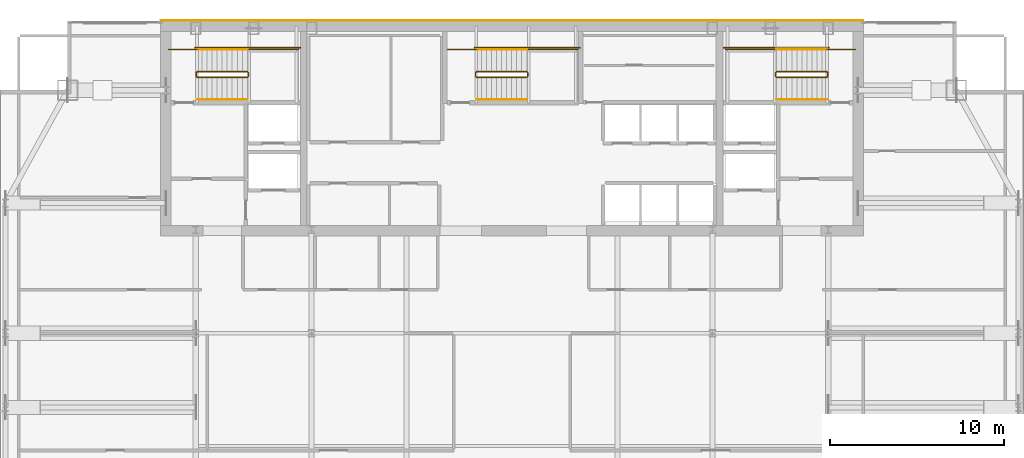
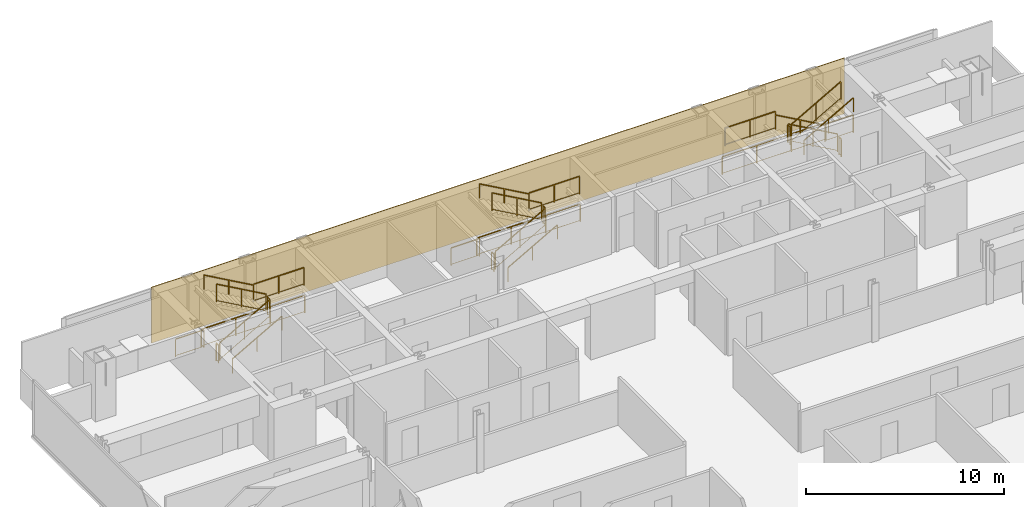
# One storey, part 26 of 26: 27 railings, 1 covering.
"""IFC4 building model written with IfcOpenShell, lengths in metres."""

from ifc_helpers import new_model, si_unit, direction, frame, origin, origin_2d, place, context, subcontext, project, spatial, polyline, rectangle, outline, extrude, material, layer, layer_set, type_object, element, save


model = new_model("IFC4")

# Units and contexts
model_context = context("Model", 3, precision=1e-05, world=origin(), true_north=direction((0.0, 1.0)))
body_context = subcontext(model_context, "Body", "Model", "MODEL_VIEW")
ifc_project = project(units=[si_unit("LENGTHUNIT", "METRE"), si_unit("AREAUNIT", "SQUARE_METRE"), si_unit("VOLUMEUNIT", "CUBIC_METRE"), si_unit("PLANEANGLEUNIT", "RADIAN"), si_unit("MASSUNIT", "GRAM", prefix="KILO")], contexts=[model_context])

# Site, building, storey
site_placement = place(None, origin())
site = spatial("IfcSite", under=ifc_project, at=site_placement, CompositionType="ELEMENT")
building_placement = place(site_placement, origin())
building = spatial("IfcBuilding", under=site, at=building_placement, Name="Khoronbel Lancet Exchange", CompositionType="ELEMENT")
storey_placement = place(building_placement, frame((0.0, 0.0, 235.39990234375)))
storey = spatial("IfcBuildingStorey", under=building, at=storey_placement, Name="L60", CompositionType="ELEMENT", Elevation=235.39990234375)

# Covering
ifc_material_1 = material(Name="Honed Egyptian Limestone & Bronze Rainscreen", Category="masonry")
ifc_layer = layer(ifc_material_1, 0.050048828125, Name="Honed Egyptian Limestone & Bronze Rainscreen")
ifc_layer_set = layer_set([ifc_layer], Name="Honed Egyptian Limestone & Bronze Rainscreen")
covering_type = type_object("IfcCoveringType", Name="COV-CLAD1", PredefinedType="CLADDING", material=ifc_layer_set)
covering_placement = place(storey_placement, origin())
element("IfcCovering", 1, at=covering_placement, inside=storey, type_object=covering_type, Name="Level L60 north rear-core stone and bronze rainscreen cladding", PredefinedType="CLADDING", context=body_context, shape_type="SweptSolid", body=[
    extrude(outline(polyline([(16.199951171875, 53.699951171875), (56.699951171875, 53.699951171875), (56.699951171875, 53.75), (16.199951171875, 53.75), (16.199951171875, 53.699951171875)])), origin(), (0.0, 0.0, 1.0), 3.440185546875),
])

# Railings
ifc_material_2 = material(Name="Painted Steel Balustrade", Category="steel")
railing_type_1 = type_object("IfcRailingType", Name="RL-STG110", PredefinedType="GUARDRAIL", material=ifc_material_2)
railing_1_placement = place(storey_placement, frame((18.300048828125, 50.449951171875, 0.163818359375)))
element("IfcRailing", 2, at=railing_1_placement, inside=storey, type_object=railing_type_1, Name="L60 ST1 stair guard 1", PredefinedType="GUARDRAIL", context=body_context, shape_type="SweptSolid", body=[
    extrude(rectangle(XDim=0.048095703125, YDim=0.048095703125, at=origin_2d()), frame((0.0, 0.0, 1.09619140625), z_axis=(0.870928581787, 0.0, 0.491409610636), x_axis=(0.0, 1.0, 0.0)), (0.0, 0.0, 1.0), 3.32958984375),
    extrude(rectangle(XDim=0.02392578125, YDim=0.02392578125, at=origin_2d()), frame((0.0, 0.0, 0.080078125), z_axis=(0.870928581787, 0.0, 0.491409610636), x_axis=(0.0, 1.0, 0.0)), (0.0, 0.0, 1.0), 3.32958984375),
    extrude(rectangle(XDim=0.0419921875, YDim=0.0419921875, at=origin_2d()), origin(), (0.0, 0.0, 1.0), 1.072021484375),
    extrude(rectangle(XDim=0.0419921875, YDim=0.0419921875, at=origin_2d()), frame((1.449951171875, 0.0, 0.818115234375)), (0.0, 0.0, 1.0), 1.072021484375),
    extrude(rectangle(XDim=0.0419921875, YDim=0.0419921875, at=origin_2d()), frame((2.89990234375, 0.0, 1.63623046875)), (0.0, 0.0, 1.0), 1.072021484375),
])
railing_2_placement = place(storey_placement, frame((21.25, 50.5, 1.800048828125)))
element("IfcRailing", 3, at=railing_2_placement, inside=storey, type_object=railing_type_1, Name="L60 ST1 stair guard 2", PredefinedType="GUARDRAIL", context=body_context, shape_type="SweptSolid", body=[
    extrude(rectangle(XDim=0.048095703125, YDim=0.048095703125, at=origin_2d()), frame((0.0, 0.0, 1.09619140625), z_axis=(0.0, 1.0, 0.0), x_axis=(-1.0, 0.0, 0.0)), (0.0, 0.0, 1.0), 0.219970703125),
    extrude(rectangle(XDim=0.02392578125, YDim=0.02392578125, at=origin_2d()), frame((0.0, 0.0, 0.080078125), z_axis=(0.0, 1.0, 0.0), x_axis=(-1.0, 0.0, 0.0)), (0.0, 0.0, 1.0), 0.219970703125),
    extrude(rectangle(XDim=0.0419921875, YDim=0.0419921875, at=origin_2d()), origin(), (0.0, 0.0, 1.0), 1.072021484375),
    extrude(rectangle(XDim=0.0419921875, YDim=0.0419921875, at=origin_2d()), frame((0.0, 0.219970703125, 0.0)), (0.0, 0.0, 1.0), 1.072021484375),
])
railing_3_placement = place(storey_placement, frame((21.199951171875, 52.050048828125, 1.800048828125)))
element("IfcRailing", 4, at=railing_3_placement, inside=storey, type_object=railing_type_1, Name="L60 ST1 stair guard 3", PredefinedType="GUARDRAIL", context=body_context, shape_type="SweptSolid", body=[
    extrude(rectangle(XDim=0.048095703125, YDim=0.048095703125, at=origin_2d()), frame((0.0, 0.0, 1.09619140625), z_axis=(1.0, 0.0, 0.0), x_axis=(0.0, 1.0, 0.0)), (0.0, 0.0, 1.0), 2.949951171875),
    extrude(rectangle(XDim=0.02392578125, YDim=0.02392578125, at=origin_2d()), frame((0.0, 0.0, 0.080078125), z_axis=(1.0, 0.0, 0.0), x_axis=(0.0, 1.0, 0.0)), (0.0, 0.0, 1.0), 2.949951171875),
    extrude(rectangle(XDim=0.0419921875, YDim=0.0419921875, at=origin_2d()), origin(), (0.0, 0.0, 1.0), 1.072021484375),
    extrude(rectangle(XDim=0.0419921875, YDim=0.0419921875, at=origin_2d()), frame((1.47509765625, 0.0, 0.0)), (0.0, 0.0, 1.0), 1.072021484375),
    extrude(rectangle(XDim=0.0419921875, YDim=0.0419921875, at=origin_2d()), frame((2.949951171875, 0.0, 0.0)), (0.0, 0.0, 1.0), 1.072021484375),
])
railing_4_placement = place(storey_placement, frame((21.199951171875, 50.77001953125, 1.963623046875)))
element("IfcRailing", 5, at=railing_4_placement, inside=storey, type_object=railing_type_1, Name="L60 ST1 stair guard 4", PredefinedType="GUARDRAIL", context=body_context, shape_type="SweptSolid", body=[
    extrude(rectangle(XDim=0.048095703125, YDim=0.048095703125, at=origin_2d()), frame((0.0, 0.0, 1.09619140625), z_axis=(-0.870897200241, 0.0, 0.491465224214), x_axis=(0.0, -1.0, 0.0)), (0.0, 0.0, 1.0), 3.329833984375),
    extrude(rectangle(XDim=0.02392578125, YDim=0.02392578125, at=origin_2d()), frame((0.0, 0.0, 0.080078125), z_axis=(-0.870897200241, 0.0, 0.491465224214), x_axis=(0.0, -1.0, 0.0)), (0.0, 0.0, 1.0), 3.329833984375),
    extrude(rectangle(XDim=0.0419921875, YDim=0.0419921875, at=origin_2d()), origin(), (0.0, 0.0, 1.0), 1.072021484375),
    extrude(rectangle(XDim=0.0419921875, YDim=0.0419921875, at=origin_2d()), frame((-1.449951171875, 0.0, 0.818359375)), (0.0, 0.0, 1.0), 1.072021484375),
    extrude(rectangle(XDim=0.0419921875, YDim=0.0419921875, at=origin_2d()), frame((-2.89990234375, 0.0, 1.636474609375)), (0.0, 0.0, 1.0), 1.072021484375),
])
railing_5_placement = place(storey_placement, frame((18.25, 50.5, 0.0)))
element("IfcRailing", 6, at=railing_5_placement, inside=storey, type_object=railing_type_1, Name="L60 ST1 stair guard 5", PredefinedType="GUARDRAIL", context=body_context, shape_type="SweptSolid", body=[
    extrude(rectangle(XDim=0.048095703125, YDim=0.048095703125, at=origin_2d()), frame((0.0, 0.0, 1.09619140625), z_axis=(0.0, 1.0, 0.0), x_axis=(-1.0, 0.0, 0.0)), (0.0, 0.0, 1.0), 0.219970703125),
    extrude(rectangle(XDim=0.02392578125, YDim=0.02392578125, at=origin_2d()), frame((0.0, 0.0, 0.080078125), z_axis=(0.0, 1.0, 0.0), x_axis=(-1.0, 0.0, 0.0)), (0.0, 0.0, 1.0), 0.219970703125),
    extrude(rectangle(XDim=0.0419921875, YDim=0.0419921875, at=origin_2d()), origin(), (0.0, 0.0, 1.0), 1.072021484375),
    extrude(rectangle(XDim=0.0419921875, YDim=0.0419921875, at=origin_2d()), frame((0.0, 0.219970703125, 0.0)), (0.0, 0.0, 1.0), 1.072021484375),
])
railing_6_placement = place(storey_placement, frame((16.64990234375, 52.050048828125, 0.0)))
element("IfcRailing", 7, at=railing_6_placement, inside=storey, type_object=railing_type_1, Name="L60 ST1 stair guard 6", PredefinedType="GUARDRAIL", context=body_context, shape_type="SweptSolid", body=[
    extrude(rectangle(XDim=0.048095703125, YDim=0.048095703125, at=origin_2d()), frame((0.0, 0.0, 1.09619140625), z_axis=(1.0, 0.0, 0.0), x_axis=(0.0, 1.0, 0.0)), (0.0, 0.0, 1.0), 1.650146484375),
    extrude(rectangle(XDim=0.02392578125, YDim=0.02392578125, at=origin_2d()), frame((0.0, 0.0, 0.080078125), z_axis=(1.0, 0.0, 0.0), x_axis=(0.0, 1.0, 0.0)), (0.0, 0.0, 1.0), 1.650146484375),
    extrude(rectangle(XDim=0.0419921875, YDim=0.0419921875, at=origin_2d()), origin(), (0.0, 0.0, 1.0), 1.072021484375),
    extrude(rectangle(XDim=0.0419921875, YDim=0.0419921875, at=origin_2d()), frame((1.650146484375, 0.0, 0.0)), (0.0, 0.0, 1.0), 1.072021484375),
])
railing_7_placement = place(storey_placement, frame((18.199951171875, 52.14990234375, 0.0)))
element("IfcRailing", 8, at=railing_7_placement, inside=storey, type_object=railing_type_1, Name="L60 ST1 stair guard 7", PredefinedType="GUARDRAIL", context=body_context, shape_type="SweptSolid", body=[
    extrude(rectangle(XDim=0.048095703125, YDim=0.048095703125, at=origin_2d()), frame((0.0, 0.0, 1.09619140625), z_axis=(1.0, 0.0, 0.0), x_axis=(0.0, 1.0, 0.0)), (0.0, 0.0, 1.0), 6.050048828125),
    extrude(rectangle(XDim=0.02392578125, YDim=0.02392578125, at=origin_2d()), frame((0.0, 0.0, 0.080078125), z_axis=(1.0, 0.0, 0.0), x_axis=(0.0, 1.0, 0.0)), (0.0, 0.0, 1.0), 6.050048828125),
    extrude(rectangle(XDim=0.0419921875, YDim=0.0419921875, at=origin_2d()), origin(), (0.0, 0.0, 1.0), 1.072021484375),
    extrude(rectangle(XDim=0.0419921875, YDim=0.0419921875, at=origin_2d()), frame((2.0166015625, 0.0, 0.0)), (0.0, 0.0, 1.0), 1.072021484375),
    extrude(rectangle(XDim=0.0419921875, YDim=0.0419921875, at=origin_2d()), frame((4.033447265625, 0.0, 0.0)), (0.0, 0.0, 1.0), 1.072021484375),
    extrude(rectangle(XDim=0.0419921875, YDim=0.0419921875, at=origin_2d()), frame((6.050048828125, 0.0, 0.0)), (0.0, 0.0, 1.0), 1.072021484375),
])
railing_8_placement = place(storey_placement, frame((54.60009765625, 50.77001953125, 0.163818359375)))
element("IfcRailing", 9, at=railing_8_placement, inside=storey, type_object=railing_type_1, Name="L60 ST2 stair guard 1", PredefinedType="GUARDRAIL", context=body_context, shape_type="SweptSolid", body=[
    extrude(rectangle(XDim=0.048095703125, YDim=0.048095703125, at=origin_2d()), frame((0.0, 0.0, 1.09619140625), z_axis=(-0.870946286338, 0.0, 0.49137823142), x_axis=(0.0, -1.0, 0.0)), (0.0, 0.0, 1.0), 3.329833984375),
    extrude(rectangle(XDim=0.02392578125, YDim=0.02392578125, at=origin_2d()), frame((0.0, 0.0, 0.080078125), z_axis=(-0.870946286338, 0.0, 0.49137823142), x_axis=(0.0, -1.0, 0.0)), (0.0, 0.0, 1.0), 3.329833984375),
    extrude(rectangle(XDim=0.0419921875, YDim=0.0419921875, at=origin_2d()), origin(), (0.0, 0.0, 1.0), 1.072021484375),
    extrude(rectangle(XDim=0.0419921875, YDim=0.0419921875, at=origin_2d()), frame((-1.4501953125, 0.0, 0.818115234375)), (0.0, 0.0, 1.0), 1.072021484375),
    extrude(rectangle(XDim=0.0419921875, YDim=0.0419921875, at=origin_2d()), frame((-2.900146484375, 0.0, 1.63623046875)), (0.0, 0.0, 1.0), 1.072021484375),
])
railing_9_placement = place(storey_placement, frame((51.64990234375, 50.719970703125, 1.800048828125)))
element("IfcRailing", 10, at=railing_9_placement, inside=storey, type_object=railing_type_1, Name="L60 ST2 stair guard 2", PredefinedType="GUARDRAIL", context=body_context, shape_type="SweptSolid", body=[
    extrude(rectangle(XDim=0.048095703125, YDim=0.048095703125, at=origin_2d()), frame((0.0, 0.0, 1.09619140625), z_axis=(0.0, -1.0, 0.0), x_axis=(1.0, 0.0, 0.0)), (0.0, 0.0, 1.0), 0.219970703125),
    extrude(rectangle(XDim=0.02392578125, YDim=0.02392578125, at=origin_2d()), frame((0.0, 0.0, 0.080078125), z_axis=(0.0, -1.0, 0.0), x_axis=(1.0, 0.0, 0.0)), (0.0, 0.0, 1.0), 0.219970703125),
    extrude(rectangle(XDim=0.0419921875, YDim=0.0419921875, at=origin_2d()), origin(), (0.0, 0.0, 1.0), 1.072021484375),
    extrude(rectangle(XDim=0.0419921875, YDim=0.0419921875, at=origin_2d()), frame((0.0, -0.219970703125, 0.0)), (0.0, 0.0, 1.0), 1.072021484375),
])
railing_10_placement = place(storey_placement, frame((51.699951171875, 52.050048828125, 1.800048828125)))
element("IfcRailing", 11, at=railing_10_placement, inside=storey, type_object=railing_type_1, Name="L60 ST2 stair guard 3", PredefinedType="GUARDRAIL", context=body_context, shape_type="SweptSolid", body=[
    extrude(rectangle(XDim=0.048095703125, YDim=0.048095703125, at=origin_2d()), frame((0.0, 0.0, 1.09619140625), z_axis=(-1.0, 0.0, 0.0), x_axis=(0.0, -1.0, 0.0)), (0.0, 0.0, 1.0), 2.949951171875),
    extrude(rectangle(XDim=0.02392578125, YDim=0.02392578125, at=origin_2d()), frame((0.0, 0.0, 0.080078125), z_axis=(-1.0, 0.0, 0.0), x_axis=(0.0, -1.0, 0.0)), (0.0, 0.0, 1.0), 2.949951171875),
    extrude(rectangle(XDim=0.0419921875, YDim=0.0419921875, at=origin_2d()), origin(), (0.0, 0.0, 1.0), 1.072021484375),
    extrude(rectangle(XDim=0.0419921875, YDim=0.0419921875, at=origin_2d()), frame((-1.47509765625, 0.0, 0.0)), (0.0, 0.0, 1.0), 1.072021484375),
    extrude(rectangle(XDim=0.0419921875, YDim=0.0419921875, at=origin_2d()), frame((-2.949951171875, 0.0, 0.0)), (0.0, 0.0, 1.0), 1.072021484375),
])
railing_11_placement = place(storey_placement, frame((51.699951171875, 50.449951171875, 1.963623046875)))
element("IfcRailing", 12, at=railing_11_placement, inside=storey, type_object=railing_type_1, Name="L60 ST2 stair guard 4", PredefinedType="GUARDRAIL", context=body_context, shape_type="SweptSolid", body=[
    extrude(rectangle(XDim=0.048095703125, YDim=0.048095703125, at=origin_2d()), frame((0.0, 0.0, 1.09619140625), z_axis=(0.870914908162, 0.0, 0.491433843708), x_axis=(0.0, 1.0, 0.0)), (0.0, 0.0, 1.0), 3.330078125),
    extrude(rectangle(XDim=0.02392578125, YDim=0.02392578125, at=origin_2d()), frame((0.0, 0.0, 0.080078125), z_axis=(0.870914908162, 0.0, 0.491433843708), x_axis=(0.0, 1.0, 0.0)), (0.0, 0.0, 1.0), 3.330078125),
    extrude(rectangle(XDim=0.0419921875, YDim=0.0419921875, at=origin_2d()), origin(), (0.0, 0.0, 1.0), 1.072021484375),
    extrude(rectangle(XDim=0.0419921875, YDim=0.0419921875, at=origin_2d()), frame((1.4501953125, 0.0, 0.818359375)), (0.0, 0.0, 1.0), 1.072021484375),
    extrude(rectangle(XDim=0.0419921875, YDim=0.0419921875, at=origin_2d()), frame((2.900146484375, 0.0, 1.636474609375)), (0.0, 0.0, 1.0), 1.072021484375),
])
railing_12_placement = place(storey_placement, frame((54.64990234375, 50.719970703125, 0.0)))
element("IfcRailing", 13, at=railing_12_placement, inside=storey, type_object=railing_type_1, Name="L60 ST2 stair guard 5", PredefinedType="GUARDRAIL", context=body_context, shape_type="SweptSolid", body=[
    extrude(rectangle(XDim=0.048095703125, YDim=0.048095703125, at=origin_2d()), frame((0.0, 0.0, 1.09619140625), z_axis=(0.0, -1.0, 0.0), x_axis=(1.0, 0.0, 0.0)), (0.0, 0.0, 1.0), 0.219970703125),
    extrude(rectangle(XDim=0.02392578125, YDim=0.02392578125, at=origin_2d()), frame((0.0, 0.0, 0.080078125), z_axis=(0.0, -1.0, 0.0), x_axis=(1.0, 0.0, 0.0)), (0.0, 0.0, 1.0), 0.219970703125),
    extrude(rectangle(XDim=0.0419921875, YDim=0.0419921875, at=origin_2d()), origin(), (0.0, 0.0, 1.0), 1.072021484375),
    extrude(rectangle(XDim=0.0419921875, YDim=0.0419921875, at=origin_2d()), frame((0.0, -0.219970703125, 0.0)), (0.0, 0.0, 1.0), 1.072021484375),
])
railing_13_placement = place(storey_placement, frame((56.25, 52.050048828125, 0.0)))
element("IfcRailing", 14, at=railing_13_placement, inside=storey, type_object=railing_type_1, Name="L60 ST2 stair guard 6", PredefinedType="GUARDRAIL", context=body_context, shape_type="SweptSolid", body=[
    extrude(rectangle(XDim=0.048095703125, YDim=0.048095703125, at=origin_2d()), frame((0.0, 0.0, 1.09619140625), z_axis=(-1.0, 0.0, 0.0), x_axis=(0.0, -1.0, 0.0)), (0.0, 0.0, 1.0), 1.64990234375),
    extrude(rectangle(XDim=0.02392578125, YDim=0.02392578125, at=origin_2d()), frame((0.0, 0.0, 0.080078125), z_axis=(-1.0, 0.0, 0.0), x_axis=(0.0, -1.0, 0.0)), (0.0, 0.0, 1.0), 1.64990234375),
    extrude(rectangle(XDim=0.0419921875, YDim=0.0419921875, at=origin_2d()), origin(), (0.0, 0.0, 1.0), 1.072021484375),
    extrude(rectangle(XDim=0.0419921875, YDim=0.0419921875, at=origin_2d()), frame((-1.64990234375, 0.0, 0.0)), (0.0, 0.0, 1.0), 1.072021484375),
])
railing_14_placement = place(storey_placement, frame((54.699951171875, 52.14990234375, 0.0)))
element("IfcRailing", 15, at=railing_14_placement, inside=storey, type_object=railing_type_1, Name="L60 ST2 stair guard 7", PredefinedType="GUARDRAIL", context=body_context, shape_type="SweptSolid", body=[
    extrude(rectangle(XDim=0.048095703125, YDim=0.048095703125, at=origin_2d()), frame((0.0, 0.0, 1.09619140625), z_axis=(-1.0, 0.0, 0.0), x_axis=(0.0, -1.0, 0.0)), (0.0, 0.0, 1.0), 6.050048828125),
    extrude(rectangle(XDim=0.02392578125, YDim=0.02392578125, at=origin_2d()), frame((0.0, 0.0, 0.080078125), z_axis=(-1.0, 0.0, 0.0), x_axis=(0.0, -1.0, 0.0)), (0.0, 0.0, 1.0), 6.050048828125),
    extrude(rectangle(XDim=0.0419921875, YDim=0.0419921875, at=origin_2d()), origin(), (0.0, 0.0, 1.0), 1.072021484375),
    extrude(rectangle(XDim=0.0419921875, YDim=0.0419921875, at=origin_2d()), frame((-2.0166015625, 0.0, 0.0)), (0.0, 0.0, 1.0), 1.072021484375),
    extrude(rectangle(XDim=0.0419921875, YDim=0.0419921875, at=origin_2d()), frame((-4.033447265625, 0.0, 0.0)), (0.0, 0.0, 1.0), 1.072021484375),
    extrude(rectangle(XDim=0.0419921875, YDim=0.0419921875, at=origin_2d()), frame((-6.050048828125, 0.0, 0.0)), (0.0, 0.0, 1.0), 1.072021484375),
])
railing_15_placement = place(storey_placement, frame((34.39990234375, 50.449951171875, 0.163818359375)))
element("IfcRailing", 16, at=railing_15_placement, inside=storey, type_object=railing_type_1, Name="L60 ST3 stair guard 1", PredefinedType="GUARDRAIL", context=body_context, shape_type="SweptSolid", body=[
    extrude(rectangle(XDim=0.048095703125, YDim=0.048095703125, at=origin_2d()), frame((0.0, 0.0, 1.09619140625), z_axis=(0.870946286338, 0.0, 0.49137823142), x_axis=(0.0, 1.0, 0.0)), (0.0, 0.0, 1.0), 3.329833984375),
    extrude(rectangle(XDim=0.02392578125, YDim=0.02392578125, at=origin_2d()), frame((0.0, 0.0, 0.080078125), z_axis=(0.870946286338, 0.0, 0.49137823142), x_axis=(0.0, 1.0, 0.0)), (0.0, 0.0, 1.0), 3.329833984375),
    extrude(rectangle(XDim=0.0419921875, YDim=0.0419921875, at=origin_2d()), origin(), (0.0, 0.0, 1.0), 1.072021484375),
    extrude(rectangle(XDim=0.0419921875, YDim=0.0419921875, at=origin_2d()), frame((1.4501953125, 0.0, 0.818115234375)), (0.0, 0.0, 1.0), 1.072021484375),
    extrude(rectangle(XDim=0.0419921875, YDim=0.0419921875, at=origin_2d()), frame((2.900146484375, 0.0, 1.63623046875)), (0.0, 0.0, 1.0), 1.072021484375),
])
railing_16_placement = place(storey_placement, frame((37.35009765625, 50.5, 1.800048828125)))
element("IfcRailing", 17, at=railing_16_placement, inside=storey, type_object=railing_type_1, Name="L60 ST3 stair guard 2", PredefinedType="GUARDRAIL", context=body_context, shape_type="SweptSolid", body=[
    extrude(rectangle(XDim=0.048095703125, YDim=0.048095703125, at=origin_2d()), frame((0.0, 0.0, 1.09619140625), z_axis=(0.0, 1.0, 0.0), x_axis=(-1.0, 0.0, 0.0)), (0.0, 0.0, 1.0), 0.219970703125),
    extrude(rectangle(XDim=0.02392578125, YDim=0.02392578125, at=origin_2d()), frame((0.0, 0.0, 0.080078125), z_axis=(0.0, 1.0, 0.0), x_axis=(-1.0, 0.0, 0.0)), (0.0, 0.0, 1.0), 0.219970703125),
    extrude(rectangle(XDim=0.0419921875, YDim=0.0419921875, at=origin_2d()), origin(), (0.0, 0.0, 1.0), 1.072021484375),
    extrude(rectangle(XDim=0.0419921875, YDim=0.0419921875, at=origin_2d()), frame((0.0, 0.219970703125, 0.0)), (0.0, 0.0, 1.0), 1.072021484375),
])
railing_17_placement = place(storey_placement, frame((37.300048828125, 52.050048828125, 1.800048828125)))
element("IfcRailing", 18, at=railing_17_placement, inside=storey, type_object=railing_type_1, Name="L60 ST3 stair guard 3", PredefinedType="GUARDRAIL", context=body_context, shape_type="SweptSolid", body=[
    extrude(rectangle(XDim=0.048095703125, YDim=0.048095703125, at=origin_2d()), frame((0.0, 0.0, 1.09619140625), z_axis=(1.0, 0.0, 0.0), x_axis=(0.0, 1.0, 0.0)), (0.0, 0.0, 1.0), 2.949951171875),
    extrude(rectangle(XDim=0.02392578125, YDim=0.02392578125, at=origin_2d()), frame((0.0, 0.0, 0.080078125), z_axis=(1.0, 0.0, 0.0), x_axis=(0.0, 1.0, 0.0)), (0.0, 0.0, 1.0), 2.949951171875),
    extrude(rectangle(XDim=0.0419921875, YDim=0.0419921875, at=origin_2d()), origin(), (0.0, 0.0, 1.0), 1.072021484375),
    extrude(rectangle(XDim=0.0419921875, YDim=0.0419921875, at=origin_2d()), frame((1.47509765625, 0.0, 0.0)), (0.0, 0.0, 1.0), 1.072021484375),
    extrude(rectangle(XDim=0.0419921875, YDim=0.0419921875, at=origin_2d()), frame((2.949951171875, 0.0, 0.0)), (0.0, 0.0, 1.0), 1.072021484375),
])
railing_18_placement = place(storey_placement, frame((37.300048828125, 50.77001953125, 1.963623046875)))
element("IfcRailing", 19, at=railing_18_placement, inside=storey, type_object=railing_type_1, Name="L60 ST3 stair guard 4", PredefinedType="GUARDRAIL", context=body_context, shape_type="SweptSolid", body=[
    extrude(rectangle(XDim=0.048095703125, YDim=0.048095703125, at=origin_2d()), frame((0.0, 0.0, 1.09619140625), z_axis=(-0.870914908162, 0.0, 0.491433843708), x_axis=(0.0, -1.0, 0.0)), (0.0, 0.0, 1.0), 3.330078125),
    extrude(rectangle(XDim=0.02392578125, YDim=0.02392578125, at=origin_2d()), frame((0.0, 0.0, 0.080078125), z_axis=(-0.870914908162, 0.0, 0.491433843708), x_axis=(0.0, -1.0, 0.0)), (0.0, 0.0, 1.0), 3.330078125),
    extrude(rectangle(XDim=0.0419921875, YDim=0.0419921875, at=origin_2d()), origin(), (0.0, 0.0, 1.0), 1.072021484375),
    extrude(rectangle(XDim=0.0419921875, YDim=0.0419921875, at=origin_2d()), frame((-1.4501953125, 0.0, 0.818359375)), (0.0, 0.0, 1.0), 1.072021484375),
    extrude(rectangle(XDim=0.0419921875, YDim=0.0419921875, at=origin_2d()), frame((-2.900146484375, 0.0, 1.636474609375)), (0.0, 0.0, 1.0), 1.072021484375),
])
railing_19_placement = place(storey_placement, frame((34.35009765625, 50.5, 0.0)))
element("IfcRailing", 20, at=railing_19_placement, inside=storey, type_object=railing_type_1, Name="L60 ST3 stair guard 5", PredefinedType="GUARDRAIL", context=body_context, shape_type="SweptSolid", body=[
    extrude(rectangle(XDim=0.048095703125, YDim=0.048095703125, at=origin_2d()), frame((0.0, 0.0, 1.09619140625), z_axis=(0.0, 1.0, 0.0), x_axis=(-1.0, 0.0, 0.0)), (0.0, 0.0, 1.0), 0.219970703125),
    extrude(rectangle(XDim=0.02392578125, YDim=0.02392578125, at=origin_2d()), frame((0.0, 0.0, 0.080078125), z_axis=(0.0, 1.0, 0.0), x_axis=(-1.0, 0.0, 0.0)), (0.0, 0.0, 1.0), 0.219970703125),
    extrude(rectangle(XDim=0.0419921875, YDim=0.0419921875, at=origin_2d()), origin(), (0.0, 0.0, 1.0), 1.072021484375),
    extrude(rectangle(XDim=0.0419921875, YDim=0.0419921875, at=origin_2d()), frame((0.0, 0.219970703125, 0.0)), (0.0, 0.0, 1.0), 1.072021484375),
])
railing_20_placement = place(storey_placement, frame((32.75, 52.050048828125, 0.0)))
element("IfcRailing", 21, at=railing_20_placement, inside=storey, type_object=railing_type_1, Name="L60 ST3 stair guard 6", PredefinedType="GUARDRAIL", context=body_context, shape_type="SweptSolid", body=[
    extrude(rectangle(XDim=0.048095703125, YDim=0.048095703125, at=origin_2d()), frame((0.0, 0.0, 1.09619140625), z_axis=(1.0, 0.0, 0.0), x_axis=(0.0, 1.0, 0.0)), (0.0, 0.0, 1.0), 1.64990234375),
    extrude(rectangle(XDim=0.02392578125, YDim=0.02392578125, at=origin_2d()), frame((0.0, 0.0, 0.080078125), z_axis=(1.0, 0.0, 0.0), x_axis=(0.0, 1.0, 0.0)), (0.0, 0.0, 1.0), 1.64990234375),
    extrude(rectangle(XDim=0.0419921875, YDim=0.0419921875, at=origin_2d()), origin(), (0.0, 0.0, 1.0), 1.072021484375),
    extrude(rectangle(XDim=0.0419921875, YDim=0.0419921875, at=origin_2d()), frame((1.64990234375, 0.0, 0.0)), (0.0, 0.0, 1.0), 1.072021484375),
])
railing_21_placement = place(storey_placement, frame((34.300048828125, 52.14990234375, 0.0)))
element("IfcRailing", 22, at=railing_21_placement, inside=storey, type_object=railing_type_1, Name="L60 ST3 stair guard 7", PredefinedType="GUARDRAIL", context=body_context, shape_type="SweptSolid", body=[
    extrude(rectangle(XDim=0.048095703125, YDim=0.048095703125, at=origin_2d()), frame((0.0, 0.0, 1.09619140625), z_axis=(1.0, 0.0, 0.0), x_axis=(0.0, 1.0, 0.0)), (0.0, 0.0, 1.0), 6.050048828125),
    extrude(rectangle(XDim=0.02392578125, YDim=0.02392578125, at=origin_2d()), frame((0.0, 0.0, 0.080078125), z_axis=(1.0, 0.0, 0.0), x_axis=(0.0, 1.0, 0.0)), (0.0, 0.0, 1.0), 6.050048828125),
    extrude(rectangle(XDim=0.0419921875, YDim=0.0419921875, at=origin_2d()), origin(), (0.0, 0.0, 1.0), 1.072021484375),
    extrude(rectangle(XDim=0.0419921875, YDim=0.0419921875, at=origin_2d()), frame((2.0166015625, 0.0, 0.0)), (0.0, 0.0, 1.0), 1.072021484375),
    extrude(rectangle(XDim=0.0419921875, YDim=0.0419921875, at=origin_2d()), frame((4.033447265625, 0.0, 0.0)), (0.0, 0.0, 1.0), 1.072021484375),
    extrude(rectangle(XDim=0.0419921875, YDim=0.0419921875, at=origin_2d()), frame((6.050048828125, 0.0, 0.0)), (0.0, 0.0, 1.0), 1.072021484375),
])
ifc_material_3 = material(Name="Brushed Stainless Steel 316", Category="steel")
railing_type_2 = type_object("IfcRailingType", Name="RL-STH92", PredefinedType="HANDRAIL", material=ifc_material_3)
railing_22_placement = place(storey_placement, frame((18.300048828125, 49.169921875, 0.163818359375)))
element("IfcRailing", 23, at=railing_22_placement, inside=storey, type_object=railing_type_2, Name="L60 ST1 stair handrail 1", PredefinedType="HANDRAIL", context=body_context, shape_type="SweptSolid", body=[
    extrude(rectangle(XDim=0.048095703125, YDim=0.048095703125, at=origin_2d()), frame((0.0, 0.0, 0.8759765625), z_axis=(0.870928581787, 0.0, 0.491409610636), x_axis=(0.0, 1.0, 0.0)), (0.0, 0.0, 1.0), 3.32958984375),
    extrude(rectangle(XDim=0.0419921875, YDim=0.0419921875, at=origin_2d()), origin(), (0.0, 0.0, 1.0), 0.851806640625),
    extrude(rectangle(XDim=0.0419921875, YDim=0.0419921875, at=origin_2d()), frame((1.449951171875, 0.0, 0.818115234375)), (0.0, 0.0, 1.0), 0.851806640625),
    extrude(rectangle(XDim=0.0419921875, YDim=0.0419921875, at=origin_2d()), frame((2.89990234375, 0.0, 1.63623046875)), (0.0, 0.0, 1.0), 0.851806640625),
])
railing_23_placement = place(storey_placement, frame((21.199951171875, 52.050048828125, 1.963623046875)))
element("IfcRailing", 24, at=railing_23_placement, inside=storey, type_object=railing_type_2, Name="L60 ST1 stair handrail 2", PredefinedType="HANDRAIL", context=body_context, shape_type="SweptSolid", body=[
    extrude(rectangle(XDim=0.048095703125, YDim=0.048095703125, at=origin_2d()), frame((0.0, 0.0, 0.8759765625), z_axis=(-0.870897200241, 0.0, 0.491465224214), x_axis=(0.0, -1.0, 0.0)), (0.0, 0.0, 1.0), 3.329833984375),
    extrude(rectangle(XDim=0.0419921875, YDim=0.0419921875, at=origin_2d()), origin(), (0.0, 0.0, 1.0), 0.851806640625),
    extrude(rectangle(XDim=0.0419921875, YDim=0.0419921875, at=origin_2d()), frame((-1.449951171875, 0.0, 0.818359375)), (0.0, 0.0, 1.0), 0.851806640625),
    extrude(rectangle(XDim=0.0419921875, YDim=0.0419921875, at=origin_2d()), frame((-2.89990234375, 0.0, 1.636474609375)), (0.0, 0.0, 1.0), 0.851806640625),
])
railing_24_placement = place(storey_placement, frame((54.60009765625, 52.050048828125, 0.163818359375)))
element("IfcRailing", 25, at=railing_24_placement, inside=storey, type_object=railing_type_2, Name="L60 ST2 stair handrail 1", PredefinedType="HANDRAIL", context=body_context, shape_type="SweptSolid", body=[
    extrude(rectangle(XDim=0.048095703125, YDim=0.048095703125, at=origin_2d()), frame((0.0, 0.0, 0.8759765625), z_axis=(-0.870946286338, 0.0, 0.49137823142), x_axis=(0.0, -1.0, 0.0)), (0.0, 0.0, 1.0), 3.329833984375),
    extrude(rectangle(XDim=0.0419921875, YDim=0.0419921875, at=origin_2d()), origin(), (0.0, 0.0, 1.0), 0.851806640625),
    extrude(rectangle(XDim=0.0419921875, YDim=0.0419921875, at=origin_2d()), frame((-1.4501953125, 0.0, 0.818115234375)), (0.0, 0.0, 1.0), 0.851806640625),
    extrude(rectangle(XDim=0.0419921875, YDim=0.0419921875, at=origin_2d()), frame((-2.900146484375, 0.0, 1.63623046875)), (0.0, 0.0, 1.0), 0.851806640625),
])
railing_25_placement = place(storey_placement, frame((51.699951171875, 49.169921875, 1.963623046875)))
element("IfcRailing", 26, at=railing_25_placement, inside=storey, type_object=railing_type_2, Name="L60 ST2 stair handrail 2", PredefinedType="HANDRAIL", context=body_context, shape_type="SweptSolid", body=[
    extrude(rectangle(XDim=0.048095703125, YDim=0.048095703125, at=origin_2d()), frame((0.0, 0.0, 0.8759765625), z_axis=(0.870914908162, 0.0, 0.491433843708), x_axis=(0.0, 1.0, 0.0)), (0.0, 0.0, 1.0), 3.330078125),
    extrude(rectangle(XDim=0.0419921875, YDim=0.0419921875, at=origin_2d()), origin(), (0.0, 0.0, 1.0), 0.851806640625),
    extrude(rectangle(XDim=0.0419921875, YDim=0.0419921875, at=origin_2d()), frame((1.4501953125, 0.0, 0.818359375)), (0.0, 0.0, 1.0), 0.851806640625),
    extrude(rectangle(XDim=0.0419921875, YDim=0.0419921875, at=origin_2d()), frame((2.900146484375, 0.0, 1.636474609375)), (0.0, 0.0, 1.0), 0.851806640625),
])
railing_26_placement = place(storey_placement, frame((34.39990234375, 49.169921875, 0.163818359375)))
element("IfcRailing", 27, at=railing_26_placement, inside=storey, type_object=railing_type_2, Name="L60 ST3 stair handrail 1", PredefinedType="HANDRAIL", context=body_context, shape_type="SweptSolid", body=[
    extrude(rectangle(XDim=0.048095703125, YDim=0.048095703125, at=origin_2d()), frame((0.0, 0.0, 0.8759765625), z_axis=(0.870946286338, 0.0, 0.49137823142), x_axis=(0.0, 1.0, 0.0)), (0.0, 0.0, 1.0), 3.329833984375),
    extrude(rectangle(XDim=0.0419921875, YDim=0.0419921875, at=origin_2d()), origin(), (0.0, 0.0, 1.0), 0.851806640625),
    extrude(rectangle(XDim=0.0419921875, YDim=0.0419921875, at=origin_2d()), frame((1.4501953125, 0.0, 0.818115234375)), (0.0, 0.0, 1.0), 0.851806640625),
    extrude(rectangle(XDim=0.0419921875, YDim=0.0419921875, at=origin_2d()), frame((2.900146484375, 0.0, 1.63623046875)), (0.0, 0.0, 1.0), 0.851806640625),
])
railing_27_placement = place(storey_placement, frame((37.300048828125, 52.050048828125, 1.963623046875)))
element("IfcRailing", 28, at=railing_27_placement, inside=storey, type_object=railing_type_2, Name="L60 ST3 stair handrail 2", PredefinedType="HANDRAIL", context=body_context, shape_type="SweptSolid", body=[
    extrude(rectangle(XDim=0.048095703125, YDim=0.048095703125, at=origin_2d()), frame((0.0, 0.0, 0.8759765625), z_axis=(-0.870914908162, 0.0, 0.491433843708), x_axis=(0.0, -1.0, 0.0)), (0.0, 0.0, 1.0), 3.330078125),
    extrude(rectangle(XDim=0.0419921875, YDim=0.0419921875, at=origin_2d()), origin(), (0.0, 0.0, 1.0), 0.851806640625),
    extrude(rectangle(XDim=0.0419921875, YDim=0.0419921875, at=origin_2d()), frame((-1.4501953125, 0.0, 0.818359375)), (0.0, 0.0, 1.0), 0.851806640625),
    extrude(rectangle(XDim=0.0419921875, YDim=0.0419921875, at=origin_2d()), frame((-2.900146484375, 0.0, 1.636474609375)), (0.0, 0.0, 1.0), 0.851806640625),
])

save(model, "model.ifc")
